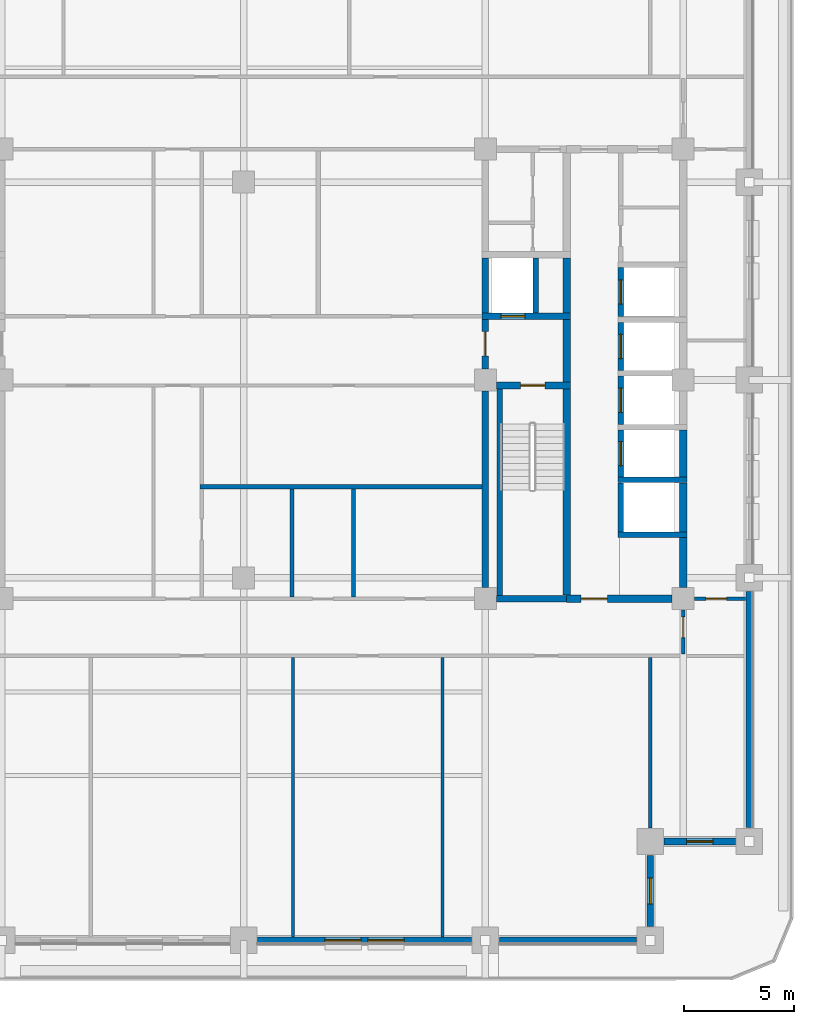
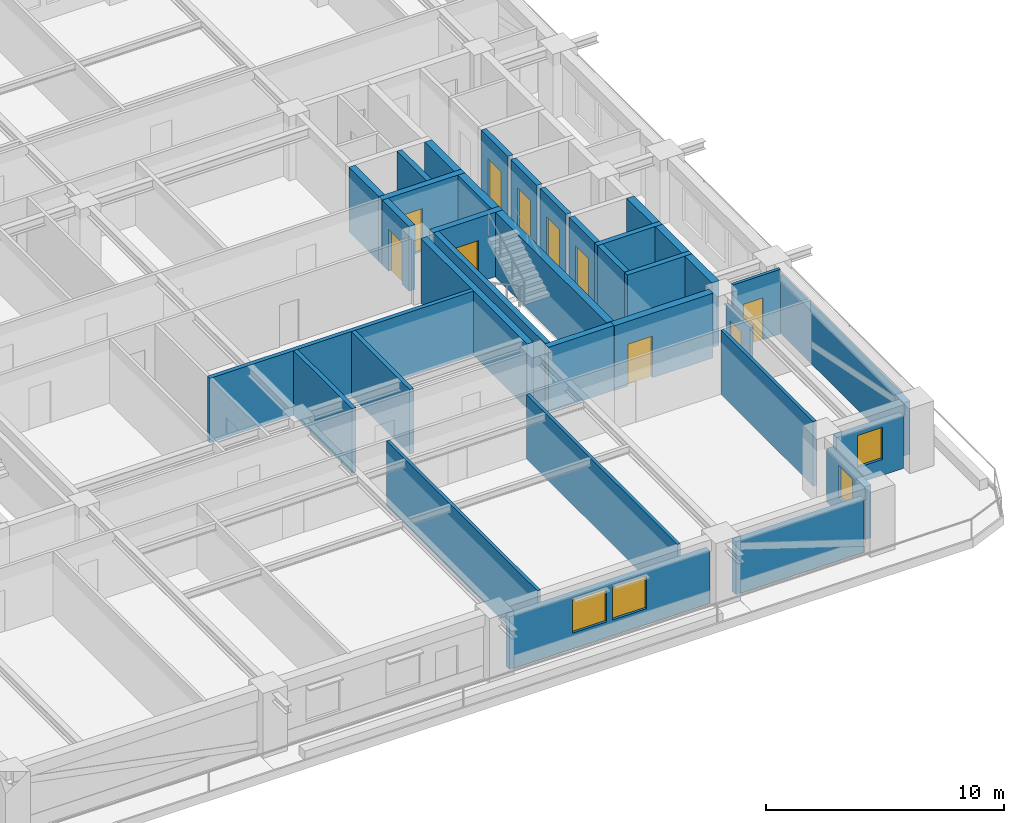
# One storey, part 4 of 15: 35 walls, 10 doors, 4 windows, 14 openings.
"""IFC4 building model written with IfcOpenShell, lengths in metres."""

from ifc_helpers import new_model, si_unit, direction, frame, frame_2d, origin, place, context, subcontext, project, spatial, rectangle, extrude, material, layer, layer_set, type_object, element, fill, save


model = new_model("IFC4")

# Units and contexts
model_context = context("Model", 3, precision=1e-05, world=origin(), true_north=direction((0.0, 1.0)))
body_context = subcontext(model_context, "Body", "Model", "MODEL_VIEW")
ifc_project = project(units=[si_unit("LENGTHUNIT", "METRE"), si_unit("AREAUNIT", "SQUARE_METRE"), si_unit("VOLUMEUNIT", "CUBIC_METRE"), si_unit("PLANEANGLEUNIT", "RADIAN"), si_unit("MASSUNIT", "GRAM", prefix="KILO")], contexts=[model_context])

# Site, building, storey
site_placement = place(None, origin())
site = spatial("IfcSite", under=ifc_project, at=site_placement, CompositionType="ELEMENT")
building_placement = place(site_placement, origin())
building = spatial("IfcBuilding", under=site, at=building_placement, Name="Zulmaris Gate Convention Tower", CompositionType="ELEMENT")
storey_placement = place(building_placement, frame((0.0, 0.0, 132.059814453125)))
storey = spatial("IfcBuildingStorey", under=building, at=storey_placement, Name="L33", CompositionType="ELEMENT", Elevation=132.059814453125)

# Walls
ifc_material_1 = material(Name="Concrete C50/60", Category="concrete")
ifc_layer_1 = layer(ifc_material_1, 0.25, Name="Concrete C50/60")
ifc_layer_set_1 = layer_set([ifc_layer_1], Name="Concrete C50/60")
wall_type_1 = type_object("IfcWallType", Name="CORE-250", PredefinedType="SOLIDWALL", material=ifc_layer_set_1)
for number, where, z_axis, x_axis, name in (
    (1, (17.02490234375, -7.050048828125, 0.0), (0.0, 0.0, 1.0), (1.0, 0.0, 0.0), "WL-L33-005"),
    (2, (17.02490234375, -4.550048828125, 0.0), (0.0, 0.0, 1.0), (1.0, 0.0, 0.0), "WL-L33-006"),
):
    element("IfcWall", number, at=place(storey_placement, frame(where, z_axis=z_axis, x_axis=x_axis)), inside=storey, type_object=wall_type_1, Name=name, PredefinedType="SOLIDWALL", context=body_context, shape_type="SweptSolid", body=[
        extrude(rectangle(XDim=3.150146484375, YDim=0.25, at=frame_2d((1.5751953125, 0.0))), origin(), (0.0, 0.0, 1.0), 3.320068359375),
    ])
wall_1_placement = place(storey_placement, frame((11.64990234375, -9.798095703125, 0.0), z_axis=(0.0, 0.0, 1.0), x_axis=(0.0, 1.0, 0.0)))
element("IfcWall", 3, at=wall_1_placement, inside=storey, type_object=wall_type_1, Name="WL-L33-054", PredefinedType="SOLIDWALL", context=body_context, shape_type="SweptSolid", body=[
    extrude(rectangle(XDim=9.39599609375, YDim=0.25, at=frame_2d((4.697998046875, 0.0))), origin(), (0.0, 0.0, 1.0), 3.320068359375),
])
wall_2_placement = place(storey_placement, frame((13.300048828125, 3.052001953125, 0.0), z_axis=(0.0, 0.0, 1.0), x_axis=(0.0, 1.0, 0.0)))
element("IfcWall", 4, at=wall_2_placement, inside=storey, type_object=wall_type_1, Name="WL-L33-055", PredefinedType="SOLIDWALL", context=body_context, shape_type="SweptSolid", body=[
    extrude(rectangle(XDim=2.49609375, YDim=0.25, at=frame_2d((1.248046875, 0.0))), origin(), (0.0, 0.0, 1.0), 3.320068359375),
])
wall_3_placement = place(storey_placement, frame((17.14990234375, -6.923095703125, 0.0), z_axis=(0.0, 0.0, 1.0), x_axis=(0.0, 1.0, 0.0)))
element("IfcWall", 5, at=wall_3_placement, inside=storey, type_object=wall_type_1, Name="WL-L33-060", PredefinedType="SOLIDWALL", context=body_context, shape_type="SweptSolid", body=[
    extrude(rectangle(XDim=2.24609375, YDim=0.25, at=frame_2d((1.123046875, 0.0))), origin(), (0.0, 0.0, 1.0), 3.320068359375),
])

# Wall, opening, door
wall_4_placement = place(storey_placement, frame((17.14990234375, -4.423095703125, 0.0), z_axis=(0.0, 0.0, 1.0), x_axis=(0.0, 1.0, 0.0)))
wall_4 = element("IfcWall", 6, at=wall_4_placement, inside=storey, type_object=wall_type_1, Name="WL-L33-061", PredefinedType="SOLIDWALL", context=body_context, shape_type="SweptSolid", body=[
    extrude(rectangle(XDim=2.14599609375, YDim=0.25, at=frame_2d((1.072998046875, 0.0))), origin(), (0.0, 0.0, 1.0), 3.320068359375),
])
opening_1_placement = place(wall_4_placement, frame((0.52294921875, 0.0, 0.0)))
opening_1 = element("IfcOpeningElement", 7, at=opening_1_placement, cuts=wall_4, Name="Opening D-06", PredefinedType="OPENING", context=body_context, shape_type="SweptSolid", body=[
    extrude(rectangle(XDim=1.10009765625, YDim=2.199951171875, at=frame_2d((0.550048828125, 1.10009765625))), frame((0.0, 0.135009765625, 0.0), z_axis=(0.0, -1.0, 0.0), x_axis=(1.0, 0.0, 0.0)), (0.0, 0.0, 1.0), 0.27001953125),
])
ifc_material_2 = material(Name="Brushed Stainless Steel", Category="steel")
door_type_1 = type_object("IfcDoorType", Name="LD-1100", OperationType="NOTDEFINED", PredefinedType="DOOR", material=ifc_material_2)
door_1_placement = place(opening_1_placement, origin())
door_1 = element("IfcDoor", 8, at=door_1_placement, inside=storey, type_object=door_type_1, Name="L33 Lift Landing Door MP-01 17", OperationType="SLIDING_TO_RIGHT", OverallHeight=2.199951171875, OverallWidth=1.10009765625, PredefinedType="DOOR", context=body_context, shape_type="SweptSolid", body=[
    extrude(rectangle(XDim=1.10009765625, YDim=2.199951171875, at=frame_2d((0.550048828125, 1.10009765625))), frame((0.0, 0.02490234375, 0.0), z_axis=(0.0, -1.0, 0.0), x_axis=(1.0, 0.0, 0.0)), (0.0, 0.0, 1.0), 0.050048828125),
])
fill(opening_1, door_1)

wall_5_placement = place(storey_placement, frame((17.14990234375, -2.02294921875, 0.0), z_axis=(0.0, 0.0, 1.0), x_axis=(0.0, 1.0, 0.0)))
wall_5 = element("IfcWall", 9, at=wall_5_placement, inside=storey, type_object=wall_type_1, Name="WL-L33-062", PredefinedType="SOLIDWALL", context=body_context, shape_type="SweptSolid", body=[
    extrude(rectangle(XDim=2.196044921875, YDim=0.25, at=frame_2d((1.09814453125, 0.0))), origin(), (0.0, 0.0, 1.0), 3.320068359375),
])
opening_2_placement = place(wall_5_placement, frame((0.548095703125, 0.0, 0.0)))
opening_2 = element("IfcOpeningElement", 10, at=opening_2_placement, cuts=wall_5, Name="Opening D-06", PredefinedType="OPENING", context=body_context, shape_type="SweptSolid", body=[
    extrude(rectangle(XDim=1.10009765625, YDim=2.199951171875, at=frame_2d((0.550048828125, 1.10009765625))), frame((0.0, 0.135009765625, 0.0), z_axis=(0.0, -1.0, 0.0), x_axis=(1.0, 0.0, 0.0)), (0.0, 0.0, 1.0), 0.27001953125),
])
door_2_placement = place(opening_2_placement, origin())
door_2 = element("IfcDoor", 11, at=door_2_placement, inside=storey, type_object=door_type_1, Name="L33 Lift Landing Door MP-02 18", OperationType="SLIDING_TO_RIGHT", OverallHeight=2.199951171875, OverallWidth=1.10009765625, PredefinedType="DOOR", context=body_context, shape_type="SweptSolid", body=[
    extrude(rectangle(XDim=1.10009765625, YDim=2.199951171875, at=frame_2d((0.550048828125, 1.10009765625))), frame((0.0, 0.02490234375, 0.0), z_axis=(0.0, -1.0, 0.0), x_axis=(1.0, 0.0, 0.0)), (0.0, 0.0, 1.0), 0.050048828125),
])
fill(opening_2, door_2)

wall_6_placement = place(storey_placement, frame((17.14990234375, 0.427001953125, 0.0), z_axis=(0.0, 0.0, 1.0), x_axis=(0.0, 1.0, 0.0)))
wall_6 = element("IfcWall", 12, at=wall_6_placement, inside=storey, type_object=wall_type_1, Name="WL-L33-063", PredefinedType="SOLIDWALL", context=body_context, shape_type="SweptSolid", body=[
    extrude(rectangle(XDim=2.196044921875, YDim=0.25, at=frame_2d((1.09814453125, 0.0))), origin(), (0.0, 0.0, 1.0), 3.320068359375),
])
opening_3_placement = place(wall_6_placement, frame((0.548095703125, 0.0, 0.0)))
opening_3 = element("IfcOpeningElement", 13, at=opening_3_placement, cuts=wall_6, Name="Opening D-06", PredefinedType="OPENING", context=body_context, shape_type="SweptSolid", body=[
    extrude(rectangle(XDim=1.10009765625, YDim=2.199951171875, at=frame_2d((0.550048828125, 1.10009765625))), frame((0.0, 0.135009765625, 0.0), z_axis=(0.0, -1.0, 0.0), x_axis=(1.0, 0.0, 0.0)), (0.0, 0.0, 1.0), 0.27001953125),
])
door_3_placement = place(opening_3_placement, origin())
door_3 = element("IfcDoor", 14, at=door_3_placement, inside=storey, type_object=door_type_1, Name="L33 Lift Landing Door MP-03 19", OperationType="SLIDING_TO_RIGHT", OverallHeight=2.199951171875, OverallWidth=1.10009765625, PredefinedType="DOOR", context=body_context, shape_type="SweptSolid", body=[
    extrude(rectangle(XDim=1.10009765625, YDim=2.199951171875, at=frame_2d((0.550048828125, 1.10009765625))), frame((0.0, 0.02490234375, 0.0), z_axis=(0.0, -1.0, 0.0), x_axis=(1.0, 0.0, 0.0)), (0.0, 0.0, 1.0), 0.050048828125),
])
fill(opening_3, door_3)

wall_7_placement = place(storey_placement, frame((17.14990234375, 2.876953125, 0.0), z_axis=(0.0, 0.0, 1.0), x_axis=(0.0, 1.0, 0.0)))
wall_7 = element("IfcWall", 15, at=wall_7_placement, inside=storey, type_object=wall_type_1, Name="WL-L33-064", PredefinedType="SOLIDWALL", context=body_context, shape_type="SweptSolid", body=[
    extrude(rectangle(XDim=2.24609375, YDim=0.25, at=frame_2d((1.123046875, 0.0))), origin(), (0.0, 0.0, 1.0), 3.320068359375),
])
opening_4_placement = place(wall_7_placement, frame((0.572998046875, 0.0, 0.0)))
opening_4 = element("IfcOpeningElement", 16, at=opening_4_placement, cuts=wall_7, Name="Opening D-06", PredefinedType="OPENING", context=body_context, shape_type="SweptSolid", body=[
    extrude(rectangle(XDim=1.10009765625, YDim=2.199951171875, at=frame_2d((0.550048828125, 1.10009765625))), frame((0.0, 0.135009765625, 0.0), z_axis=(0.0, -1.0, 0.0), x_axis=(1.0, 0.0, 0.0)), (0.0, 0.0, 1.0), 0.27001953125),
])
door_4_placement = place(opening_4_placement, origin())
door_4 = element("IfcDoor", 17, at=door_4_placement, inside=storey, type_object=door_type_1, Name="L33 Lift Landing Door MP-04 20", OperationType="SLIDING_TO_RIGHT", OverallHeight=2.199951171875, OverallWidth=1.10009765625, PredefinedType="DOOR", context=body_context, shape_type="SweptSolid", body=[
    extrude(rectangle(XDim=1.10009765625, YDim=2.199951171875, at=frame_2d((0.550048828125, 1.10009765625))), frame((0.0, 0.02490234375, 0.0), z_axis=(0.0, -1.0, 0.0), x_axis=(1.0, 0.0, 0.0)), (0.0, 0.0, 1.0), 0.050048828125),
])
fill(opening_4, door_4)

# Wall
ifc_layer_2 = layer(ifc_material_1, 0.300048828125, Name="Concrete C50/60")
ifc_layer_set_2 = layer_set([ifc_layer_2], Name="Concrete C50/60")
wall_type_2 = type_object("IfcWallType", Name="CORE-300", PredefinedType="SHEAR", material=ifc_layer_set_2)
wall_8_placement = place(storey_placement, frame((11.50390625, -9.949951171875, 0.0), z_axis=(0.0, 0.0, 1.0), x_axis=(1.0, 0.0, 0.0)))
element("IfcWall", 18, at=wall_8_placement, inside=storey, type_object=wall_type_2, Name="WL-L33-003", PredefinedType="SHEAR", context=body_context, shape_type="SweptSolid", body=[
    extrude(rectangle(XDim=3.196044921875, YDim=0.300048828125, at=frame_2d((1.59814453125, 0.0))), origin(), (0.0, 0.0, 1.0), 3.320068359375),
])

# Wall, opening, door
wall_9_placement = place(storey_placement, frame((11.50390625, -0.25, 0.0), z_axis=(0.0, 0.0, 1.0), x_axis=(1.0, 0.0, 0.0)))
wall_9 = element("IfcWall", 19, at=wall_9_placement, inside=storey, type_object=wall_type_2, Name="WL-L33-009", PredefinedType="SHEAR", context=body_context, shape_type="SweptSolid", body=[
    extrude(rectangle(XDim=3.37109375, YDim=0.300048828125, at=frame_2d((1.685546875, 0.0))), origin(), (0.0, 0.0, 1.0), 3.320068359375),
])
opening_5_placement = place(wall_9_placement, frame((1.095947265625, 0.0, 0.0)))
opening_5 = element("IfcOpeningElement", 20, at=opening_5_placement, cuts=wall_9, Name="Opening D-08", PredefinedType="OPENING", context=body_context, shape_type="SweptSolid", body=[
    extrude(rectangle(XDim=1.10009765625, YDim=2.14990234375, at=frame_2d((0.550048828125, 1.074951171875))), frame((0.0, 0.16015625, 0.0), z_axis=(0.0, -1.0, 0.0), x_axis=(1.0, 0.0, 0.0)), (0.0, 0.0, 1.0), 0.320068359375),
])
ifc_material_3 = material(Name="Fire-Rated Steel", Category="steel")
door_type_2 = type_object("IfcDoorType", Name="DR-1100-FD", OperationType="NOTDEFINED", PredefinedType="DOOR", material=ifc_material_3)
door_5_placement = place(opening_5_placement, origin())
door_5 = element("IfcDoor", 21, at=door_5_placement, inside=storey, type_object=door_type_2, Name="L33 Exit Stair ST-2 Door 04", OperationType="SINGLE_SWING_RIGHT", OverallHeight=2.14990234375, OverallWidth=1.10009765625, PredefinedType="DOOR", context=body_context, shape_type="SweptSolid", body=[
    extrude(rectangle(XDim=1.10009765625, YDim=2.14990234375, at=frame_2d((0.550048828125, 1.074951171875))), frame((0.0, 0.02490234375, 0.0), z_axis=(0.0, -1.0, 0.0), x_axis=(1.0, 0.0, 0.0)), (0.0, 0.0, 1.0), 0.050048828125),
])
fill(opening_5, door_5)

wall_10_placement = place(storey_placement, frame((10.85009765625, 2.89990234375, 0.0), z_axis=(0.0, 0.0, 1.0), x_axis=(1.0, 0.0, 0.0)))
wall_10 = element("IfcWall", 22, at=wall_10_placement, inside=storey, type_object=wall_type_2, Name="WL-L33-013", PredefinedType="SHEAR", context=body_context, shape_type="SweptSolid", body=[
    extrude(rectangle(XDim=4.02490234375, YDim=0.300048828125, at=frame_2d((2.012451171875, 0.0))), origin(), (0.0, 0.0, 1.0), 3.320068359375),
])
opening_6_placement = place(wall_10_placement, frame((0.85009765625, 0.0, 0.0)))
opening_6 = element("IfcOpeningElement", 23, at=opening_6_placement, cuts=wall_10, Name="Opening D-06", PredefinedType="OPENING", context=body_context, shape_type="SweptSolid", body=[
    extrude(rectangle(XDim=1.10009765625, YDim=2.199951171875, at=frame_2d((0.550048828125, 1.10009765625))), frame((0.0, 0.16015625, 0.0), z_axis=(0.0, -1.0, 0.0), x_axis=(1.0, 0.0, 0.0)), (0.0, 0.0, 1.0), 0.320068359375),
])
door_6_placement = place(opening_6_placement, origin())
door_6 = element("IfcDoor", 24, at=door_6_placement, inside=storey, type_object=door_type_1, Name="L33 Lift Landing Door LF-02 06", OperationType="SLIDING_TO_RIGHT", OverallHeight=2.199951171875, OverallWidth=1.10009765625, PredefinedType="DOOR", context=body_context, shape_type="SweptSolid", body=[
    extrude(rectangle(XDim=1.10009765625, YDim=2.199951171875, at=frame_2d((0.550048828125, 1.10009765625))), frame((0.0, 0.02490234375, 0.0), z_axis=(0.0, -1.0, 0.0), x_axis=(1.0, 0.0, 0.0)), (0.0, 0.0, 1.0), 0.050048828125),
])
fill(opening_6, door_6)

# Wall
wall_11_placement = place(storey_placement, frame((11.0, -9.446044921875, 0.0), z_axis=(0.0, 0.0, 1.0), x_axis=(0.0, 1.0, 0.0)))
element("IfcWall", 25, at=wall_11_placement, inside=storey, type_object=wall_type_2, Name="WL-L33-050", PredefinedType="SHEAR", context=body_context, shape_type="SweptSolid", body=[
    extrude(rectangle(XDim=8.942138671875, YDim=0.300048828125, at=frame_2d((4.47119140625, 0.0))), origin(), (0.0, 0.0, 1.0), 3.320068359375),
])

# Wall, opening, door
wall_12_placement = place(storey_placement, frame((11.0, 0.50390625, 0.0), z_axis=(0.0, 0.0, 1.0), x_axis=(0.0, 1.0, 0.0)))
wall_12 = element("IfcWall", 26, at=wall_12_placement, inside=storey, type_object=wall_type_2, Name="WL-L33-051", PredefinedType="SHEAR", context=body_context, shape_type="SweptSolid", body=[
    extrude(rectangle(XDim=2.244140625, YDim=0.300048828125, at=frame_2d((1.1220703125, 0.0))), origin(), (0.0, 0.0, 1.0), 3.320068359375),
])
opening_7_placement = place(wall_12_placement, frame((0.595947265625, 0.0, 0.0)))
opening_7 = element("IfcOpeningElement", 27, at=opening_7_placement, cuts=wall_12, Name="Opening D-08", PredefinedType="OPENING", context=body_context, shape_type="SweptSolid", body=[
    extrude(rectangle(XDim=1.10009765625, YDim=2.14990234375, at=frame_2d((0.550048828125, 1.074951171875))), frame((0.0, 0.16015625, 0.0), z_axis=(0.0, -1.0, 0.0), x_axis=(1.0, 0.0, 0.0)), (0.0, 0.0, 1.0), 0.320068359375),
])
door_7_placement = place(opening_7_placement, origin())
door_7 = element("IfcDoor", 28, at=door_7_placement, inside=storey, type_object=door_type_2, Name="L33 East Firefighting Lobby Door 05", OperationType="SINGLE_SWING_LEFT", OverallHeight=2.14990234375, OverallWidth=1.10009765625, PredefinedType="DOOR", context=body_context, shape_type="SweptSolid", body=[
    extrude(rectangle(XDim=1.10009765625, YDim=2.14990234375, at=frame_2d((0.550048828125, 1.074951171875))), frame((0.0, 0.02490234375, 0.0), z_axis=(0.0, -1.0, 0.0), x_axis=(1.0, 0.0, 0.0)), (0.0, 0.0, 1.0), 0.050048828125),
])
fill(opening_7, door_7)

# Wall
wall_13_placement = place(storey_placement, frame((11.0, 3.052001953125, 0.0), z_axis=(0.0, 0.0, 1.0), x_axis=(0.0, 1.0, 0.0)))
element("IfcWall", 29, at=wall_13_placement, inside=storey, type_object=wall_type_2, Name="WL-L33-052", PredefinedType="SHEAR", context=body_context, shape_type="SweptSolid", body=[
    extrude(rectangle(XDim=2.49609375, YDim=0.300048828125, at=frame_2d((1.248046875, 0.0))), origin(), (0.0, 0.0, 1.0), 3.320068359375),
])

# Wall, opening, door
ifc_material_4 = material(Name="Concrete C55/67", Category="concrete")
ifc_layer_3 = layer(ifc_material_4, 0.35009765625, Name="Concrete C55/67")
ifc_layer_set_3 = layer_set([ifc_layer_3], Name="Concrete C55/67")
wall_type_3 = type_object("IfcWallType", Name="CORE-350", PredefinedType="SHEAR", material=ifc_layer_set_3)
wall_14_placement = place(storey_placement, frame((14.699951171875, -9.949951171875, 0.0), z_axis=(0.0, 0.0, 1.0), x_axis=(1.0, 0.0, 0.0)))
wall_14 = element("IfcWall", 30, at=wall_14_placement, inside=storey, type_object=wall_type_3, Name="WL-L33-004", PredefinedType="SHEAR", context=body_context, shape_type="SweptSolid", body=[
    extrude(rectangle(XDim=4.796142578125, YDim=0.35009765625, at=frame_2d((2.39794921875, 0.0))), origin(), (0.0, 0.0, 1.0), 3.320068359375),
])
opening_8_placement = place(wall_14_placement, frame((0.64990234375, 0.0, 0.0)))
opening_8 = element("IfcOpeningElement", 31, at=opening_8_placement, cuts=wall_14, Name="Opening D-13", PredefinedType="OPENING", context=body_context, shape_type="SweptSolid", body=[
    extrude(rectangle(XDim=1.199951171875, YDim=2.14990234375, at=frame_2d((0.60009765625, 1.074951171875))), frame((0.0, 0.18505859375, 0.0), z_axis=(0.0, -1.0, 0.0), x_axis=(1.0, 0.0, 0.0)), (0.0, 0.0, 1.0), 0.3701171875),
])
door_type_3 = type_object("IfcDoorType", Name="DR-1200-FD", OperationType="NOTDEFINED", PredefinedType="DOOR", material=ifc_material_3)
door_8_placement = place(opening_8_placement, origin())
door_8 = element("IfcDoor", 32, at=door_8_placement, inside=storey, type_object=door_type_3, Name="L33 East Lift Lobby South Door 21", OperationType="SINGLE_SWING_RIGHT", OverallHeight=2.14990234375, OverallWidth=1.199951171875, PredefinedType="DOOR", context=body_context, shape_type="SweptSolid", body=[
    extrude(rectangle(XDim=1.199951171875, YDim=2.14990234375, at=frame_2d((0.60009765625, 1.074951171875))), frame((0.0, 0.02490234375, 0.0), z_axis=(0.0, -1.0, 0.0), x_axis=(1.0, 0.0, 0.0)), (0.0, 0.0, 1.0), 0.050048828125),
])
fill(opening_8, door_8)

# Walls
wall_15_placement = place(storey_placement, frame((14.699951171875, -9.77294921875, 0.0), z_axis=(0.0, 0.0, 1.0), x_axis=(0.0, 1.0, 0.0)))
element("IfcWall", 33, at=wall_15_placement, inside=storey, type_object=wall_type_3, Name="WL-L33-056", PredefinedType="SHEAR", context=body_context, shape_type="SweptSolid", body=[
    extrude(rectangle(XDim=9.370849609375, YDim=0.35009765625, at=frame_2d((4.685546875, 0.0))), origin(), (0.0, 0.0, 1.0), 3.320068359375),
])
wall_16_placement = place(storey_placement, frame((14.699951171875, -0.097900390625, 0.0), z_axis=(0.0, 0.0, 1.0), x_axis=(0.0, 1.0, 0.0)))
element("IfcWall", 34, at=wall_16_placement, inside=storey, type_object=wall_type_3, Name="WL-L33-057", PredefinedType="SHEAR", context=body_context, shape_type="SweptSolid", body=[
    extrude(rectangle(XDim=2.845947265625, YDim=0.35009765625, at=frame_2d((1.4228515625, 0.0))), origin(), (0.0, 0.0, 1.0), 3.320068359375),
])
wall_17_placement = place(storey_placement, frame((14.699951171875, 3.052001953125, 0.0), z_axis=(0.0, 0.0, 1.0), x_axis=(0.0, 1.0, 0.0)))
element("IfcWall", 35, at=wall_17_placement, inside=storey, type_object=wall_type_3, Name="WL-L33-058", PredefinedType="SHEAR", context=body_context, shape_type="SweptSolid", body=[
    extrude(rectangle(XDim=2.49609375, YDim=0.35009765625, at=frame_2d((1.248046875, 0.0))), origin(), (0.0, 0.0, 1.0), 3.320068359375),
])
wall_18_placement = place(storey_placement, frame((20.0, -9.446044921875, 0.0), z_axis=(0.0, 0.0, 1.0), x_axis=(0.0, 1.0, 0.0)))
element("IfcWall", 36, at=wall_18_placement, inside=storey, type_object=wall_type_3, Name="WL-L33-065", PredefinedType="SHEAR", context=body_context, shape_type="SweptSolid", body=[
    extrude(rectangle(XDim=2.26904296875, YDim=0.35009765625, at=frame_2d((1.134521484375, 0.0))), origin(), (0.0, 0.0, 1.0), 3.320068359375),
])
wall_19_placement = place(storey_placement, frame((20.0, -6.923095703125, 0.0), z_axis=(0.0, 0.0, 1.0), x_axis=(0.0, 1.0, 0.0)))
element("IfcWall", 37, at=wall_19_placement, inside=storey, type_object=wall_type_3, Name="WL-L33-066", PredefinedType="SHEAR", context=body_context, shape_type="SweptSolid", body=[
    extrude(rectangle(XDim=2.24609375, YDim=0.35009765625, at=frame_2d((1.123046875, 0.0))), origin(), (0.0, 0.0, 1.0), 3.320068359375),
])
wall_20_placement = place(storey_placement, frame((20.0, -4.423095703125, 0.0), z_axis=(0.0, 0.0, 1.0), x_axis=(0.0, 1.0, 0.0)))
element("IfcWall", 38, at=wall_20_placement, inside=storey, type_object=wall_type_3, Name="WL-L33-067", PredefinedType="SHEAR", context=body_context, shape_type="SweptSolid", body=[
    extrude(rectangle(XDim=2.14599609375, YDim=0.35009765625, at=frame_2d((1.072998046875, 0.0))), origin(), (0.0, 0.0, 1.0), 3.320068359375),
])

# Wall, opening, door
ifc_material_5 = material(Name="Gypsum Metal Stud Partition")
ifc_layer_4 = layer(ifc_material_5, 0.14990234375, Name="Gypsum Metal Stud Partition")
ifc_layer_set_4 = layer_set([ifc_layer_4], Name="Gypsum Metal Stud Partition")
wall_type_4 = type_object("IfcWallType", Name="PART-150", PredefinedType="PARTITIONING", material=ifc_layer_set_4)
wall_21_placement = place(storey_placement, frame((20.506103515625, -9.949951171875, 0.0), z_axis=(0.0, 0.0, 1.0), x_axis=(1.0, 0.0, 0.0)))
wall_21 = element("IfcWall", 39, at=wall_21_placement, inside=storey, type_object=wall_type_4, Name="WL-L33-024", PredefinedType="PARTITIONING", context=body_context, shape_type="SweptSolid", body=[
    extrude(rectangle(XDim=2.328857421875, YDim=0.14990234375, at=frame_2d((1.16455078125, 0.0))), origin(), (0.0, 0.0, 1.0), 3.320068359375),
])
opening_9_placement = place(wall_21_placement, frame((0.51904296875, 0.0, 0.0)))
opening_9 = element("IfcOpeningElement", 40, at=opening_9_placement, cuts=wall_21, Name="Opening D-11", PredefinedType="OPENING", context=body_context, shape_type="SweptSolid", body=[
    extrude(rectangle(XDim=0.949951171875, YDim=2.14990234375, at=frame_2d((0.47509765625, 1.074951171875))), frame((0.0, 0.0849609375, 0.0), z_axis=(0.0, -1.0, 0.0), x_axis=(1.0, 0.0, 0.0)), (0.0, 0.0, 1.0), 0.169921875),
])
ifc_material_6 = material(Name="Fire-Rated Timber", Category="wood")
door_type_4 = type_object("IfcDoorType", Name="DR-950-FD", OperationType="NOTDEFINED", PredefinedType="DOOR", material=ifc_material_6)
door_9_placement = place(opening_9_placement, origin())
door_9 = element("IfcDoor", 41, at=door_9_placement, inside=storey, type_object=door_type_4, Name="L33 SE Partner Door 52", OperationType="SINGLE_SWING_LEFT", OverallHeight=2.14990234375, OverallWidth=0.949951171875, PredefinedType="DOOR", context=body_context, shape_type="SweptSolid", body=[
    extrude(rectangle(XDim=0.949951171875, YDim=2.14990234375, at=frame_2d((0.47509765625, 1.074951171875))), frame((0.0, 0.02490234375, 0.0), z_axis=(0.0, -1.0, 0.0), x_axis=(1.0, 0.0, 0.0)), (0.0, 0.0, 1.0), 0.050048828125),
])
fill(opening_9, door_9)

# Walls
for number, where, z_axis, x_axis, name in (
    (42, (2.25, -25.3349609375, 0.0), (0.0, 0.0, 1.0), (0.0, 1.0, 0.0), "WL-L33-089"),
    (43, (9.050048828125, -25.3349609375, 0.0), (0.0, 0.0, 1.0), (0.0, 1.0, 0.0), "WL-L33-093"),
):
    element("IfcWall", number, at=place(storey_placement, frame(where, z_axis=z_axis, x_axis=x_axis)), inside=storey, type_object=wall_type_4, Name=name, PredefinedType="PARTITIONING", context=body_context, shape_type="SweptSolid", body=[
        extrude(rectangle(XDim=12.70703125, YDim=0.14990234375, at=frame_2d((6.353515625, 0.0))), origin(), (0.0, 0.0, 1.0), 3.320068359375),
    ])
wall_22_placement = place(storey_placement, frame((18.5, -20.39404296875, 0.0), z_axis=(0.0, 0.0, 1.0), x_axis=(0.0, 1.0, 0.0)))
element("IfcWall", 44, at=wall_22_placement, inside=storey, type_object=wall_type_4, Name="WL-L33-098", PredefinedType="PARTITIONING", context=body_context, shape_type="SweptSolid", body=[
    extrude(rectangle(XDim=7.76611328125, YDim=0.14990234375, at=frame_2d((3.883056640625, 0.0))), origin(), (0.0, 0.0, 1.0), 3.320068359375),
])

# Wall, opening, door
wall_23_placement = place(storey_placement, frame((20.0, -12.471923828125, 0.0), z_axis=(0.0, 0.0, 1.0), x_axis=(0.0, 1.0, 0.0)))
wall_23 = element("IfcWall", 45, at=wall_23_placement, inside=storey, type_object=wall_type_4, Name="WL-L33-100", PredefinedType="PARTITIONING", context=body_context, shape_type="SweptSolid", body=[
    extrude(rectangle(XDim=2.015869140625, YDim=0.14990234375, at=frame_2d((1.0078125, 0.0))), origin(), (0.0, 0.0, 1.0), 2.81005859375),
])
opening_10_placement = place(wall_23_placement, frame((0.7470703125, 0.0, 0.0)))
opening_10 = element("IfcOpeningElement", 46, at=opening_10_placement, cuts=wall_23, Name="Opening D-11", PredefinedType="OPENING", context=body_context, shape_type="SweptSolid", body=[
    extrude(rectangle(XDim=0.949951171875, YDim=2.14990234375, at=frame_2d((0.47509765625, 1.074951171875))), frame((0.0, 0.0849609375, 0.0), z_axis=(0.0, -1.0, 0.0), x_axis=(1.0, 0.0, 0.0)), (0.0, 0.0, 1.0), 0.169921875),
])
door_10_placement = place(opening_10_placement, origin())
door_10 = element("IfcDoor", 47, at=door_10_placement, inside=storey, type_object=door_type_4, Name="L33 SE Spur Door 50", OperationType="SINGLE_SWING_LEFT", OverallHeight=2.14990234375, OverallWidth=0.949951171875, PredefinedType="DOOR", context=body_context, shape_type="SweptSolid", body=[
    extrude(rectangle(XDim=0.949951171875, YDim=2.14990234375, at=frame_2d((0.47509765625, 1.074951171875))), frame((0.0, 0.02490234375, 0.0), z_axis=(0.0, -1.0, 0.0), x_axis=(1.0, 0.0, 0.0)), (0.0, 0.0, 1.0), 0.050048828125),
])
fill(opening_10, door_10)

# Walls
ifc_material_7 = material(Name="Autoclaved Aerated Concrete Block and Plasterboard", Category="concrete")
ifc_layer_5 = layer(ifc_material_7, 0.199951171875, Name="Autoclaved Aerated Concrete Block and Plasterboard")
ifc_layer_set_5 = layer_set([ifc_layer_5], Name="Autoclaved Aerated Concrete Block and Plasterboard")
wall_type_5 = type_object("IfcWallType", Name="PART-200", PredefinedType="PARTITIONING", material=ifc_layer_set_5)
wall_24_placement = place(storey_placement, frame((-1.97509765625, -4.85009765625, 0.0), z_axis=(0.0, 0.0, 1.0), x_axis=(1.0, 0.0, 0.0)))
element("IfcWall", 48, at=wall_24_placement, inside=storey, type_object=wall_type_5, Name="WL-L33-025", PredefinedType="PARTITIONING", context=body_context, shape_type="SweptSolid", body=[
    extrude(rectangle(XDim=12.822021484375, YDim=0.199951171875, at=frame_2d((6.4111328125, 0.0))), origin(), (0.0, 0.0, 1.0), 3.320068359375),
])
for number, where, z_axis, x_axis, name in (
    (49, (2.199951171875, -9.8720703125, 0.0), (0.0, 0.0, 1.0), (0.0, 1.0, 0.0), "WL-L33-088"),
    (50, (5.0, -9.8720703125, 0.0), (0.0, 0.0, 1.0), (0.0, 1.0, 0.0), "WL-L33-092"),
):
    element("IfcWall", number, at=place(storey_placement, frame(where, z_axis=z_axis, x_axis=x_axis)), inside=storey, type_object=wall_type_5, Name=name, PredefinedType="PARTITIONING", context=body_context, shape_type="SweptSolid", body=[
        extrude(rectangle(XDim=4.919189453125, YDim=0.199951171875, at=frame_2d((2.45947265625, 0.0))), origin(), (0.0, 0.0, 1.0), 3.320068359375),
    ])

# Wall, opening, window
ifc_material_8 = material(Name="Precast concrete C40/50", Category="concrete")
ifc_layer_6 = layer(ifc_material_8, 0.300048828125, Name="Precast concrete C40/50")
ifc_layer_set_6 = layer_set([ifc_layer_6], Name="Precast concrete C40/50")
wall_type_6 = type_object("IfcWallType", Name="PRECAST-PIER-300", PredefinedType="STANDARD", material=ifc_layer_set_6)
wall_25_placement = place(storey_placement, frame((18.5, -24.8701171875, 0.0), z_axis=(0.0, 0.0, 1.0), x_axis=(0.0, 1.0, 0.0)))
wall_25 = element("IfcWall", 51, at=wall_25_placement, inside=storey, type_object=wall_type_6, Name="EW-L33-NOTCH-SE1_0", PredefinedType="STANDARD", context=body_context, shape_type="SweptSolid", body=[
    extrude(rectangle(XDim=3.240234375, YDim=0.300048828125, at=frame_2d((1.6201171875, 0.0))), origin(), (0.0, 0.0, 1.0), 2.712158203125),
])
opening_11_placement = place(wall_25_placement, frame((1.02001953125, 0.0, 0.820068359375)))
opening_11 = element("IfcOpeningElement", 52, at=opening_11_placement, cuts=wall_25, Name="Opening W-04", PredefinedType="OPENING", context=body_context, shape_type="SweptSolid", body=[
    extrude(rectangle(XDim=1.199951171875, YDim=1.64990234375, at=frame_2d((0.60009765625, 0.824951171875))), frame((0.0, 0.16015625, 0.0), z_axis=(0.0, -1.0, 0.0), x_axis=(1.0, 0.0, 0.0)), (0.0, 0.0, 1.0), 0.320068359375),
])
ifc_material_9 = material(Name="Low-E Laminated Double Glazing in Aluminium Frame", Category="aluminium")
window_type_1 = type_object("IfcWindowType", Name="WIN-1200x2100", PartitioningType="SINGLE_PANEL", PredefinedType="WINDOW", material=ifc_material_9)
window_1_placement = place(opening_11_placement, origin())
window_1 = element("IfcWindow", 53, at=window_1_placement, inside=storey, type_object=window_type_1, Name="WN-EW-L33-NOTCH-SE1_0", OverallHeight=1.64990234375, OverallWidth=1.199951171875, PartitioningType="SINGLE_PANEL", PredefinedType="WINDOW", context=body_context, shape_type="SweptSolid", body=[
    extrude(rectangle(XDim=1.199951171875, YDim=1.64990234375, at=frame_2d((0.60009765625, 0.824951171875))), frame((0.0, 0.030029296875, 0.0), z_axis=(0.0, -1.0, 0.0), x_axis=(1.0, 0.0, 0.0)), (0.0, 0.0, 1.0), 0.06005859375),
])
fill(opening_11, window_1)

wall_26_placement = place(storey_placement, frame((19.1298828125, -21.0, 0.0), z_axis=(0.0, 0.0, 1.0), x_axis=(1.0, 0.0, 0.0)))
wall_26 = element("IfcWall", 54, at=wall_26_placement, inside=storey, type_object=wall_type_6, Name="EW-L33-NOTCH-SE2_0", PredefinedType="STANDARD", context=body_context, shape_type="SweptSolid", body=[
    extrude(rectangle(XDim=3.240234375, YDim=0.300048828125, at=frame_2d((1.6201171875, 0.0))), origin(), (0.0, 0.0, 1.0), 2.712158203125),
])
opening_12_placement = place(wall_26_placement, frame((1.02001953125, 0.0, 0.820068359375)))
opening_12 = element("IfcOpeningElement", 55, at=opening_12_placement, cuts=wall_26, Name="Opening W-04", PredefinedType="OPENING", context=body_context, shape_type="SweptSolid", body=[
    extrude(rectangle(XDim=1.199951171875, YDim=1.64990234375, at=frame_2d((0.60009765625, 0.824951171875))), frame((0.0, 0.16015625, 0.0), z_axis=(0.0, -1.0, 0.0), x_axis=(1.0, 0.0, 0.0)), (0.0, 0.0, 1.0), 0.320068359375),
])
window_2_placement = place(opening_12_placement, origin())
window_2 = element("IfcWindow", 56, at=window_2_placement, inside=storey, type_object=window_type_1, Name="WN-EW-L33-NOTCH-SE2_0", OverallHeight=1.64990234375, OverallWidth=1.199951171875, PartitioningType="SINGLE_PANEL", PredefinedType="WINDOW", context=body_context, shape_type="SweptSolid", body=[
    extrude(rectangle(XDim=1.199951171875, YDim=1.64990234375, at=frame_2d((0.60009765625, 0.824951171875))), frame((0.0, 0.030029296875, 0.0), z_axis=(0.0, -1.0, 0.0), x_axis=(1.0, 0.0, 0.0)), (0.0, 0.0, 1.0), 0.06005859375),
])
fill(opening_12, window_2)

# Wall, openings, windows
wall_27_placement = place(storey_placement, frame((0.6298828125, -25.5, 0.0), z_axis=(0.0, 0.0, 1.0), x_axis=(1.0, 0.0, 0.0)))
wall_27 = element("IfcWall", 57, at=wall_27_placement, inside=storey, type_object=wall_type_6, Name="EW-L33-S-2_0", PredefinedType="STANDARD", context=body_context, shape_type="SweptSolid", body=[
    extrude(rectangle(XDim=9.740234375, YDim=0.300048828125, at=frame_2d((4.8701171875, 0.0))), origin(), (0.0, 0.0, 1.0), 2.712158203125),
])
opening_13_placement = place(wall_27_placement, frame((3.071044921875, 0.0, 0.800048828125)))
opening_13 = element("IfcOpeningElement", 58, at=opening_13_placement, cuts=wall_27, Name="Opening W-08", PredefinedType="OPENING", context=body_context, shape_type="SweptSolid", body=[
    extrude(rectangle(XDim=1.64990234375, YDim=1.699951171875, at=frame_2d((0.824951171875, 0.85009765625))), frame((0.0, 0.16015625, 0.0), z_axis=(0.0, -1.0, 0.0), x_axis=(1.0, 0.0, 0.0)), (0.0, 0.0, 1.0), 0.320068359375),
])
opening_14_placement = place(wall_27_placement, frame((5.01904296875, 0.0, 0.800048828125)))
opening_14 = element("IfcOpeningElement", 59, at=opening_14_placement, cuts=wall_27, Name="Opening W-08", PredefinedType="OPENING", context=body_context, shape_type="SweptSolid", body=[
    extrude(rectangle(XDim=1.64990234375, YDim=1.699951171875, at=frame_2d((0.824951171875, 0.85009765625))), frame((0.0, 0.16015625, 0.0), z_axis=(0.0, -1.0, 0.0), x_axis=(1.0, 0.0, 0.0)), (0.0, 0.0, 1.0), 0.320068359375),
])
window_type_2 = type_object("IfcWindowType", Name="WIN-1650x2150", PartitioningType="SINGLE_PANEL", PredefinedType="WINDOW", material=ifc_material_9)
window_3_placement = place(opening_13_placement, origin())
window_3 = element("IfcWindow", 60, at=window_3_placement, inside=storey, type_object=window_type_2, Name="WN-EW-L33-S-2_0-2", OverallHeight=1.699951171875, OverallWidth=1.64990234375, PartitioningType="SINGLE_PANEL", PredefinedType="WINDOW", context=body_context, shape_type="SweptSolid", body=[
    extrude(rectangle(XDim=1.64990234375, YDim=1.699951171875, at=frame_2d((0.824951171875, 0.85009765625))), frame((0.0, 0.030029296875, 0.0), z_axis=(0.0, -1.0, 0.0), x_axis=(1.0, 0.0, 0.0)), (0.0, 0.0, 1.0), 0.06005859375),
])
fill(opening_13, window_3)
window_4_placement = place(opening_14_placement, origin())
window_4 = element("IfcWindow", 61, at=window_4_placement, inside=storey, type_object=window_type_2, Name="WN-EW-L33-S-2_0-3", OverallHeight=1.699951171875, OverallWidth=1.64990234375, PartitioningType="SINGLE_PANEL", PredefinedType="WINDOW", context=body_context, shape_type="SweptSolid", body=[
    extrude(rectangle(XDim=1.64990234375, YDim=1.699951171875, at=frame_2d((0.824951171875, 0.85009765625))), frame((0.0, 0.030029296875, 0.0), z_axis=(0.0, -1.0, 0.0), x_axis=(1.0, 0.0, 0.0)), (0.0, 0.0, 1.0), 0.06005859375),
])
fill(opening_14, window_4)

# Walls
wall_28_placement = place(storey_placement, frame((11.6298828125, -25.5, 0.0), z_axis=(0.0, 0.0, 1.0), x_axis=(1.0, 0.0, 0.0)))
element("IfcWall", 62, at=wall_28_placement, inside=storey, type_object=wall_type_6, Name="EW-L33-S-3_0", PredefinedType="STANDARD", context=body_context, shape_type="SweptSolid", body=[
    extrude(rectangle(XDim=6.240234375, YDim=0.300048828125, at=frame_2d((3.1201171875, 0.0))), origin(), (0.0, 0.0, 1.0), 2.712158203125),
])
wall_29_placement = place(storey_placement, frame((23.0, -20.3701171875, 0.0), z_axis=(0.0, 0.0, 1.0), x_axis=(0.0, 1.0, 0.0)))
element("IfcWall", 63, at=wall_29_placement, inside=storey, type_object=wall_type_6, Name="EW-L33-E-0_0", PredefinedType="STANDARD", context=body_context, shape_type="SweptSolid", body=[
    extrude(rectangle(XDim=10.740234375, YDim=0.300048828125, at=frame_2d((5.3701171875, 0.0))), origin(), (0.0, 0.0, 1.0), 2.712158203125),
])

save(model, "model.ifc")
